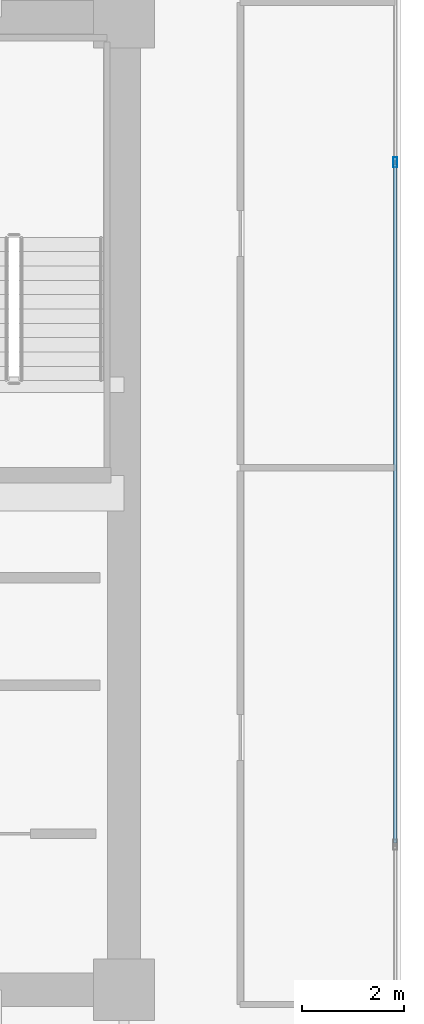
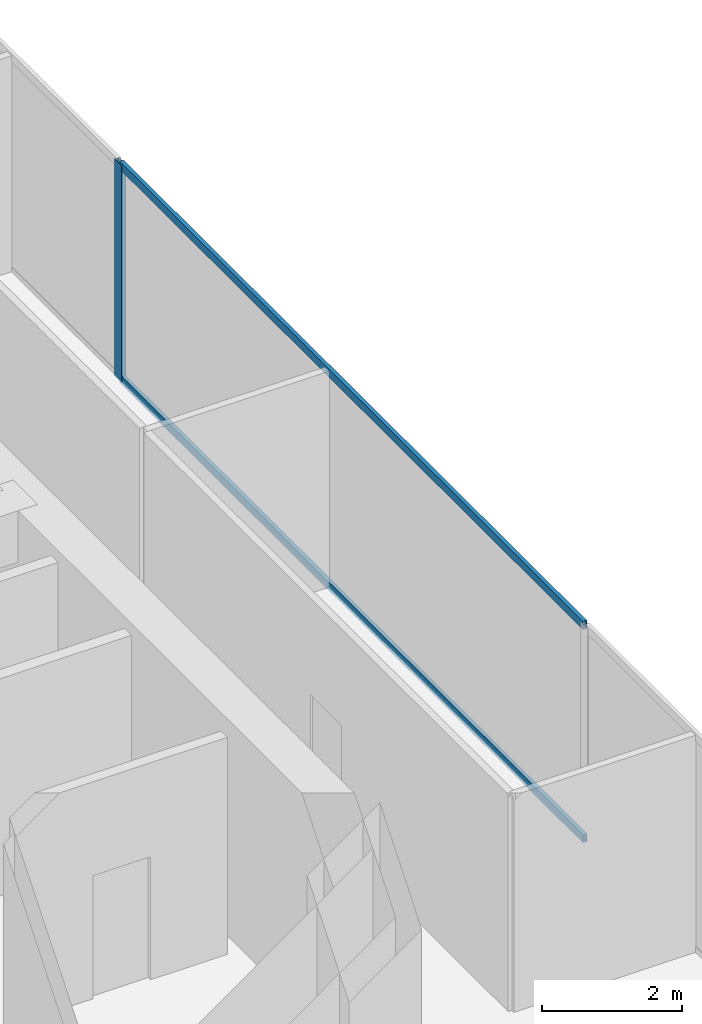
# One storey, part 22 of 34: 3 members, 1 element without a shape of its own.
"""IFC4 building model written with IfcOpenShell, lengths in metres."""

from ifc_helpers import new_model, si_unit, direction, frame, origin, origin_2d, place, context, subcontext, project, spatial, hollow_rectangle, extrude, source, transform, mapped, material, layer, layer_set, material_profile, profile_set, type_object, type_shapes, element, aggregate, save


model = new_model("IFC4")

# Units and contexts
model_context = context("Model", 3, precision=1e-05, world=origin(), true_north=direction((0.0, 1.0)))
body_context = subcontext(model_context, "Body", "Model", "MODEL_VIEW")
ifc_project = project(units=[si_unit("LENGTHUNIT", "METRE"), si_unit("AREAUNIT", "SQUARE_METRE"), si_unit("VOLUMEUNIT", "CUBIC_METRE"), si_unit("PLANEANGLEUNIT", "RADIAN"), si_unit("MASSUNIT", "GRAM", prefix="KILO")], contexts=[model_context])

# Site, building, storey
site_placement = place(None, origin())
site = spatial("IfcSite", under=ifc_project, at=site_placement, CompositionType="ELEMENT")
building_placement = place(site_placement, origin())
building = spatial("IfcBuilding", under=site, at=building_placement, Name="Haelvirn Gate Laboratories", CompositionType="ELEMENT")
storey_placement = place(building_placement, frame((0.0, 0.0, 109.199951171875)))
storey = spatial("IfcBuildingStorey", under=building, at=storey_placement, Name="L26", CompositionType="ELEMENT", Elevation=109.199951171875)

# Curtain wall, members
ifc_material_1 = material(Name="Anodised bronze unitised aluminium & triple low-E glass", Category="aluminium")
ifc_layer = layer(ifc_material_1, 0.179931640625, Name="CW-SYS-3")
ifc_layer_set = layer_set([ifc_layer], Name="Anodised bronze unitised aluminium & triple low-E glass")
curtain_wall_type = type_object("IfcCurtainWallType", Name="CW-SYS-3", PredefinedType="NOTDEFINED", material=ifc_layer_set)
curtain_wall_placement = place(storey_placement, origin())
curtain_wall = element("IfcCurtainWall", 1, at=curtain_wall_placement, inside=storey, type_object=curtain_wall_type, Name="L26 Unitised Curtain Wall CW-L26-P0-E07", PredefinedType="NOTDEFINED")
ifc_material_2 = material(Name="Extruded aluminium 6063-T6 (anodised bronze)", Category="aluminium")
ifc_material_profile_1 = material_profile(ifc_material_2, hollow_rectangle(XDim=0.06494140625, YDim=0.139892578125, WallThickness=0.00390625, at=origin_2d()), Name="CWT-140x65x4")
ifc_profile_set_1 = profile_set([ifc_material_profile_1], Name="Extruded aluminium 6063-T6 (anodised bronze)")
member_type_1 = type_object("IfcMemberType", Name="CWT-T140", PredefinedType="USERDEFINED", material=ifc_profile_set_1)
shared_shape_1 = source(origin(), body_context, "Body", "SweptSolid", [
    extrude(hollow_rectangle(XDim=0.06494140625, YDim=0.139892578125, WallThickness=0.00390625, at=origin_2d()), origin(), (0.0, 0.0, 1.0), 13.25830078125),
])
type_shapes(member_type_1, [shared_shape_1])
member_1_placement = place(storey_placement, frame((72.699951171875, 17.6708984375, 0.032470703125), z_axis=(0.0, 1.0, 0.0), x_axis=(-1.0, 0.0, 0.0)))
member_1 = element("IfcMember", 2, at=member_1_placement, type_object=member_type_1, Name="CW3 transom 2.1", ObjectType="TRANSOM", PredefinedType="USERDEFINED", context=body_context, shape_type="MappedRepresentation", body=[
    mapped(shared_shape_1, transform((0.0, 0.0, 0.0), scale=1.0)),
])
member_2_placement = place(storey_placement, frame((72.699951171875, 17.6708984375, 3.757568359375), z_axis=(0.0, 1.0, 0.0), x_axis=(-1.0, 0.0, 0.0)))
member_2 = element("IfcMember", 3, at=member_2_placement, type_object=member_type_1, Name="CW3 transom 2.2", ObjectType="TRANSOM", PredefinedType="USERDEFINED", context=body_context, shape_type="MappedRepresentation", body=[
    mapped(shared_shape_1, transform((0.0, 0.0, 0.0), scale=1.0)),
])
ifc_material_profile_2 = material_profile(ifc_material_2, hollow_rectangle(XDim=0.074951171875, YDim=0.199951171875, WallThickness=0.0048828125, at=origin_2d()), Name="CWM-200x75x5")
ifc_profile_set_2 = profile_set([ifc_material_profile_2], Name="Extruded aluminium 6063-T6 (anodised bronze)")
member_type_2 = type_object("IfcMemberType", Name="CWM-T200", PredefinedType="MULLION", material=ifc_profile_set_2)
shared_shape_2 = source(origin(), body_context, "Body", "SweptSolid", [
    extrude(hollow_rectangle(XDim=0.074951171875, YDim=0.199951171875, WallThickness=0.0048828125, at=origin_2d()), origin(), (0.0, 0.0, 1.0), 3.7900390625),
])
type_shapes(member_type_2, [shared_shape_2])
member_3_placement = place(storey_placement, frame((72.699951171875, 30.966552734375, 0.0), z_axis=(0.0, 0.0, 1.0), x_axis=(-1.0, 0.0, 0.0)))
member_3 = element("IfcMember", 4, at=member_3_placement, type_object=member_type_2, Name="CW3 mullion 3", PredefinedType="MULLION", context=body_context, shape_type="MappedRepresentation", body=[
    mapped(shared_shape_2, transform((0.0, 0.0, 0.0), scale=1.0)),
])
aggregate(curtain_wall, [member_3, member_1, member_2])

save(model, "model.ifc")
